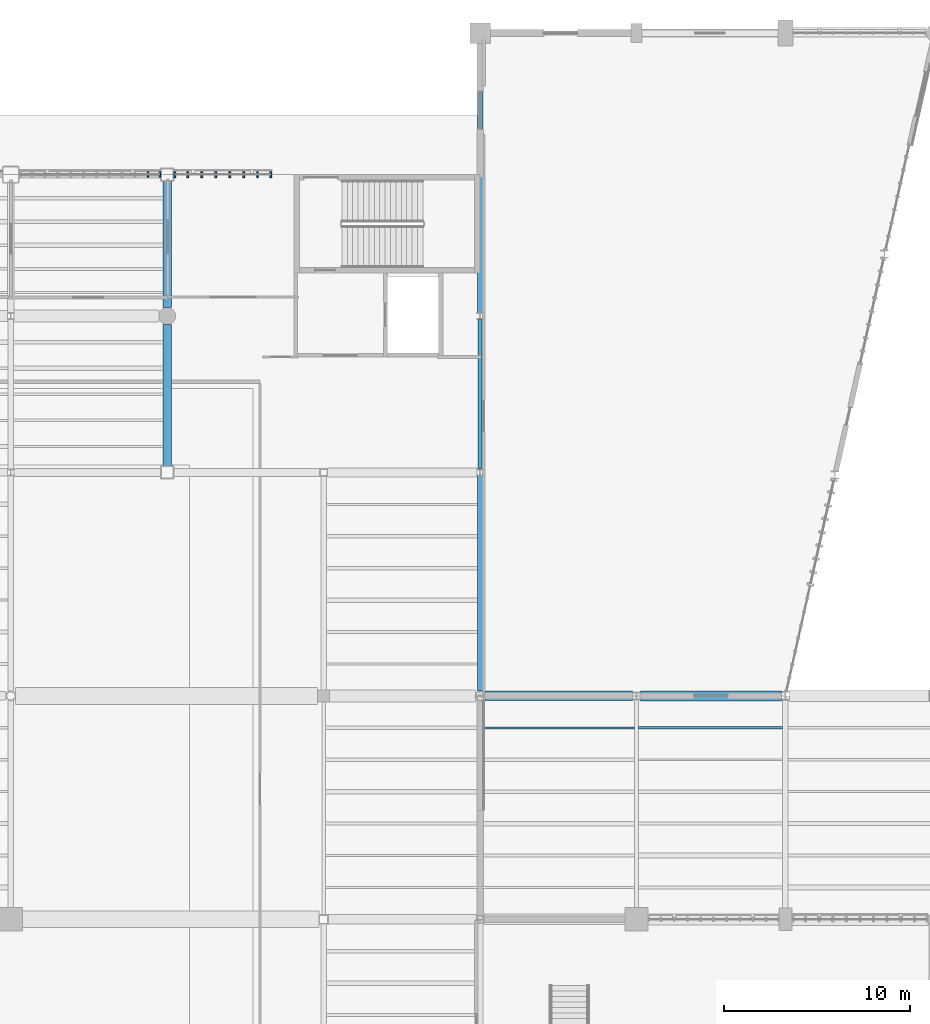
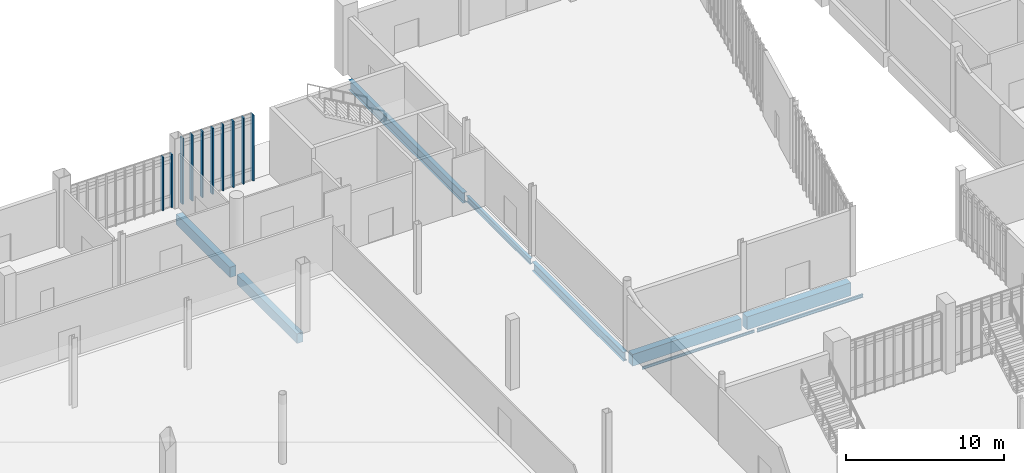
# One storey, part 27 of 111: 10 members, 9 beams, 2 elements without a shape of their own.
"""IFC4 building model written with IfcOpenShell, lengths in metres."""

from ifc_helpers import new_model, si_unit, direction, frame, origin, origin_2d, place, context, subcontext, project, spatial, rectangle, i_section, extrude, material, material_profile, profile_set, type_object, element, aggregate, save


model = new_model("IFC4")

# Units and contexts
model_context = context("Model", 3, precision=1e-05, world=origin(), true_north=direction((0.0, 1.0)))
body_context = subcontext(model_context, "Body", "Model", "MODEL_VIEW")
ifc_project = project(units=[si_unit("LENGTHUNIT", "METRE"), si_unit("AREAUNIT", "SQUARE_METRE"), si_unit("VOLUMEUNIT", "CUBIC_METRE"), si_unit("PLANEANGLEUNIT", "RADIAN"), si_unit("MASSUNIT", "GRAM", prefix="KILO")], contexts=[model_context])

# Site, building, storey
site_placement = place(None, origin())
site = spatial("IfcSite", under=ifc_project, at=site_placement, CompositionType="ELEMENT")
building_placement = place(site_placement, origin())
building = spatial("IfcBuilding", under=site, at=building_placement, Name="Larkvane Passage Sports Hall", CompositionType="ELEMENT")
storey_placement = place(building_placement, origin())
storey = spatial("IfcBuildingStorey", under=building, at=storey_placement, Name="L00", CompositionType="ELEMENT", Elevation=0.0)

# Beams
ifc_material_1 = material(Name="Concrete C40/50", Category="concrete")
ifc_material_profile_1 = material_profile(ifc_material_1, rectangle(XDim=0.449951171875, YDim=0.75, at=origin_2d()), Name="RC-BM-450x750")
ifc_profile_set_1 = profile_set([ifc_material_profile_1], Name="Concrete C40/50")
beam_type_1 = type_object("IfcBeamType", Name="BM-RC-450x750", PredefinedType="BEAM", material=ifc_profile_set_1)
beam_1_placement = place(storey_placement, frame((76.800048828125, 75.949951171875, -0.794921875), z_axis=(0.0, 1.0, 0.0), x_axis=(-1.0, 0.0, 0.0)))
element("IfcBeam", 1, at=beam_1_placement, inside=storey, type_object=beam_type_1, Name="Girder BM5-Y-L00-11-0109", PredefinedType="BEAM", context=body_context, shape_type="SweptSolid", body=[
    extrude(rectangle(XDim=0.449951171875, YDim=0.75, at=origin_2d()), origin(), (0.0, 0.0, 1.0), 7.60009765625),
])
ifc_material_profile_2 = material_profile(ifc_material_1, rectangle(XDim=0.449951171875, YDim=0.800048828125, at=origin_2d()), Name="RC-BM-450x800")
ifc_profile_set_2 = profile_set([ifc_material_profile_2], Name="Concrete C40/50")
beam_type_2 = type_object("IfcBeamType", Name="BM-RC-450x800", PredefinedType="BEAM", material=ifc_profile_set_2)
beam_2_placement = place(storey_placement, frame((76.800048828125, 84.449951171875, -0.820068359375), z_axis=(0.0, 1.0, 0.0), x_axis=(-1.0, 0.0, 0.0)))
element("IfcBeam", 2, at=beam_2_placement, inside=storey, type_object=beam_type_2, Name="Girder BM5-Y-L00-11-0110", PredefinedType="BEAM", context=body_context, shape_type="SweptSolid", body=[
    extrude(rectangle(XDim=0.449951171875, YDim=0.800048828125, at=origin_2d()), origin(), (0.0, 0.0, 1.0), 6.800048828125),
])
ifc_material_profile_3 = material_profile(ifc_material_1, rectangle(XDim=0.5, YDim=0.89990234375, at=origin_2d()), Name="RC-BM-500x900")
ifc_profile_set_3 = profile_set([ifc_material_profile_3], Name="Concrete C40/50")
beam_type_3 = type_object("IfcBeamType", Name="BM-RC-500x900", PredefinedType="BEAM", material=ifc_profile_set_3)
beam_3_placement = place(storey_placement, frame((93.85400390625, 63.60009765625, -0.8701171875), z_axis=(1.0, 0.0, 0.0), x_axis=(0.0, 1.0, 0.0)))
element("IfcBeam", 3, at=beam_3_placement, inside=storey, type_object=beam_type_3, Name="Girder BM5-X-L00-H-0047", PredefinedType="BEAM", context=body_context, shape_type="SweptSolid", body=[
    extrude(rectangle(XDim=0.5, YDim=0.89990234375, at=origin_2d()), origin(), (0.0, 0.0, 1.0), 7.943603515625),
])
ifc_material_2 = material(Name="Concrete C50/60", Category="concrete")
ifc_material_profile_4 = material_profile(ifc_material_2, rectangle(XDim=0.550048828125, YDim=1.0, at=origin_2d()), Name="RC-BM-550x1000")
ifc_profile_set_4 = profile_set([ifc_material_profile_4], Name="Concrete C50/60")
beam_type_4 = type_object("IfcBeamType", Name="BM-RC-550x1000", PredefinedType="BEAM", material=ifc_profile_set_4)
beam_4_placement = place(storey_placement, frame((102.202392578125, 63.60009765625, -0.919921875), z_axis=(1.0, 0.0, 0.0), x_axis=(0.0, 1.0, 0.0)))
element("IfcBeam", 4, at=beam_4_placement, inside=storey, type_object=beam_type_4, Name="Girder BM5-X-L00-H-0048", PredefinedType="BEAM", context=body_context, shape_type="SweptSolid", body=[
    extrude(rectangle(XDim=0.550048828125, YDim=1.0, at=origin_2d()), origin(), (0.0, 0.0, 1.0), 7.589111328125),
])
ifc_material_3 = material(Name="Steel S460N", Category="steel")
ifc_material_profile_5 = material_profile(ifc_material_3, i_section(OverallWidth=0.300048828125, OverallDepth=0.69189453125, WebThickness=0.012939453125, FlangeThickness=0.02001953125, FilletRadius=0.02197265625, at=origin_2d()), Name="H-692x300x13x20")
ifc_profile_set_5 = profile_set([ifc_material_profile_5], Name="Steel S460N")
beam_type_5 = type_object("IfcBeamType", Name="BM-STL-H692", PredefinedType="BEAM", material=ifc_profile_set_5)
beam_5_placement = place(storey_placement, frame((93.60009765625, 63.85400390625, -0.76611328125), z_axis=(0.0, 1.0, 0.0), x_axis=(-1.0, 0.0, 0.0)))
element("IfcBeam", 5, at=beam_5_placement, inside=storey, type_object=beam_type_5, Name="Girder BM5-Y-L00-13-0118", PredefinedType="BEAM", context=body_context, shape_type="SweptSolid", body=[
    extrude(i_section(OverallWidth=0.300048828125, OverallDepth=0.69189453125, WebThickness=0.012939453125, FlangeThickness=0.02001953125, FilletRadius=0.02197265625, at=origin_2d()), origin(), (0.0, 0.0, 1.0), 11.571044921875),
])
ifc_material_profile_6 = material_profile(ifc_material_3, i_section(OverallWidth=0.300048828125, OverallDepth=0.7919921875, WebThickness=0.013916015625, FlangeThickness=0.02197265625, FilletRadius=0.02197265625, at=origin_2d()), Name="H-792x300x14x22")
ifc_profile_set_6 = profile_set([ifc_material_profile_6], Name="Steel S460N")
beam_type_6 = type_object("IfcBeamType", Name="BM-STL-H792", PredefinedType="BEAM", material=ifc_profile_set_6)
beam_6_placement = place(storey_placement, frame((93.60009765625, 84.175048828125, -0.81591796875), z_axis=(0.0, 1.0, 0.0), x_axis=(-1.0, 0.0, 0.0)))
element("IfcBeam", 6, at=beam_6_placement, inside=storey, type_object=beam_type_6, Name="Girder BM5-Y-L00-13-0120", PredefinedType="BEAM", context=body_context, shape_type="SweptSolid", body=[
    extrude(i_section(OverallWidth=0.300048828125, OverallDepth=0.7919921875, WebThickness=0.013916015625, FlangeThickness=0.02197265625, FilletRadius=0.02197265625, at=origin_2d()), origin(), (0.0, 0.0, 1.0), 14.474853515625),
])

# Curtain wall, members
ifc_material_4 = material(Name="Thermally broken aluminium and low-E glazing", Category="aluminium")
curtain_wall_type_1 = type_object("IfcCurtainWallType", Name="CW-CLINIC", PredefinedType="USERDEFINED", material=ifc_material_4)
curtain_wall_1_placement = place(storey_placement, origin())
curtain_wall_1 = element("IfcCurtainWall", 7, at=curtain_wall_1_placement, inside=storey, type_object=curtain_wall_type_1, Name="Curtain wall CW5-L00-011", ObjectType="UNITISED CURTAIN WALL", PredefinedType="USERDEFINED")
ifc_material_5 = material(Name="Anodised aluminium 6063-T6", Category="aluminium")
ifc_material_profile_7 = material_profile(ifc_material_5, rectangle(XDim=0.10009765625, YDim=0.320068359375, at=origin_2d()), Name="ALU-MUL-100x320")
ifc_profile_set_7 = profile_set([ifc_material_profile_7], Name="Anodised aluminium 6063-T6")
member_type_1 = type_object("IfcMemberType", Name="CW-MUL-100x320", PredefinedType="MULLION", material=ifc_profile_set_7)
member_1_placement = place(storey_placement, frame((77.196044921875, 91.60009765625, 0.0), z_axis=(0.0, 0.0, 1.0), x_axis=(1.0, 0.0, 0.0)))
member_1 = element("IfcMember", 8, at=member_1_placement, type_object=member_type_1, Name="CW-05 mullion 1", PredefinedType="MULLION", context=body_context, shape_type="SweptSolid", body=[
    extrude(rectangle(XDim=0.10009765625, YDim=0.320068359375, at=origin_2d()), origin(), (0.0, 0.0, 1.0), 5.10009765625),
])
member_2_placement = place(storey_placement, frame((77.896484375, 91.60009765625, 0.0), z_axis=(0.0, 0.0, 1.0), x_axis=(1.0, 0.0, 0.0)))
member_2 = element("IfcMember", 9, at=member_2_placement, type_object=member_type_1, Name="CW-05 mullion 2", PredefinedType="MULLION", context=body_context, shape_type="SweptSolid", body=[
    extrude(rectangle(XDim=0.10009765625, YDim=0.320068359375, at=origin_2d()), origin(), (0.0, 0.0, 1.0), 5.10009765625),
])
member_3_placement = place(storey_placement, frame((78.647216796875, 91.60009765625, 0.0), z_axis=(0.0, 0.0, 1.0), x_axis=(1.0, 0.0, 0.0)))
member_3 = element("IfcMember", 10, at=member_3_placement, type_object=member_type_1, Name="CW-05 mullion 3", PredefinedType="MULLION", context=body_context, shape_type="SweptSolid", body=[
    extrude(rectangle(XDim=0.10009765625, YDim=0.320068359375, at=origin_2d()), origin(), (0.0, 0.0, 1.0), 5.10009765625),
])
member_4_placement = place(storey_placement, frame((79.397705078125, 91.60009765625, 0.0), z_axis=(0.0, 0.0, 1.0), x_axis=(1.0, 0.0, 0.0)))
member_4 = element("IfcMember", 11, at=member_4_placement, type_object=member_type_1, Name="CW-05 mullion 4", PredefinedType="MULLION", context=body_context, shape_type="SweptSolid", body=[
    extrude(rectangle(XDim=0.10009765625, YDim=0.320068359375, at=origin_2d()), origin(), (0.0, 0.0, 1.0), 5.10009765625),
])
member_5_placement = place(storey_placement, frame((80.148193359375, 91.60009765625, 0.0), z_axis=(0.0, 0.0, 1.0), x_axis=(1.0, 0.0, 0.0)))
member_5 = element("IfcMember", 12, at=member_5_placement, type_object=member_type_1, Name="CW-05 mullion 5", PredefinedType="MULLION", context=body_context, shape_type="SweptSolid", body=[
    extrude(rectangle(XDim=0.10009765625, YDim=0.320068359375, at=origin_2d()), origin(), (0.0, 0.0, 1.0), 5.10009765625),
])
member_6_placement = place(storey_placement, frame((80.89892578125, 91.60009765625, 0.0), z_axis=(0.0, 0.0, 1.0), x_axis=(1.0, 0.0, 0.0)))
member_6 = element("IfcMember", 13, at=member_6_placement, type_object=member_type_1, Name="CW-05 mullion 6", PredefinedType="MULLION", context=body_context, shape_type="SweptSolid", body=[
    extrude(rectangle(XDim=0.10009765625, YDim=0.320068359375, at=origin_2d()), origin(), (0.0, 0.0, 1.0), 5.10009765625),
])
member_7_placement = place(storey_placement, frame((81.6494140625, 91.60009765625, 0.0), z_axis=(0.0, 0.0, 1.0), x_axis=(1.0, 0.0, 0.0)))
member_7 = element("IfcMember", 14, at=member_7_placement, type_object=member_type_1, Name="CW-05 mullion 7", PredefinedType="MULLION", context=body_context, shape_type="SweptSolid", body=[
    extrude(rectangle(XDim=0.10009765625, YDim=0.320068359375, at=origin_2d()), origin(), (0.0, 0.0, 1.0), 5.10009765625),
])
member_8_placement = place(storey_placement, frame((82.35009765625, 91.60009765625, 0.0), z_axis=(0.0, 0.0, 1.0), x_axis=(1.0, 0.0, 0.0)))
member_8 = element("IfcMember", 15, at=member_8_placement, type_object=member_type_1, Name="CW-05 mullion 8", PredefinedType="MULLION", context=body_context, shape_type="SweptSolid", body=[
    extrude(rectangle(XDim=0.10009765625, YDim=0.320068359375, at=origin_2d()), origin(), (0.0, 0.0, 1.0), 5.10009765625),
])
aggregate(curtain_wall_1, [member_1, member_2, member_3, member_4, member_5, member_6, member_7, member_8])

curtain_wall_type_2 = type_object("IfcCurtainWallType", Name="CW-STICK-FOYER", PredefinedType="USERDEFINED", material=ifc_material_4)
curtain_wall_2_placement = place(storey_placement, origin())
curtain_wall_2 = element("IfcCurtainWall", 16, at=curtain_wall_2_placement, inside=storey, type_object=curtain_wall_type_2, Name="Curtain wall CW5-L00-010", ObjectType="STICK CURTAIN WALL", PredefinedType="USERDEFINED")
ifc_material_profile_8 = material_profile(ifc_material_5, rectangle(XDim=0.090087890625, YDim=0.280029296875, at=origin_2d()), Name="ALU-MUL-90x280")
ifc_profile_set_8 = profile_set([ifc_material_profile_8], Name="Anodised aluminium 6063-T6")
member_type_2 = type_object("IfcMemberType", Name="CW-MUL-90x280", PredefinedType="MULLION", material=ifc_profile_set_8)
member_9_placement = place(storey_placement, frame((75.762451171875, 91.60009765625, 0.0), z_axis=(0.0, 0.0, 1.0), x_axis=(1.0, 0.0, 0.0)))
member_9 = element("IfcMember", 17, at=member_9_placement, type_object=member_type_2, Name="CW-03 mullion 11", PredefinedType="MULLION", context=body_context, shape_type="SweptSolid", body=[
    extrude(rectangle(XDim=0.090087890625, YDim=0.280029296875, at=origin_2d()), origin(), (0.0, 0.0, 1.0), 4.117919921875),
])
member_10_placement = place(storey_placement, frame((76.408935546875, 91.60009765625, 0.0), z_axis=(0.0, 0.0, 1.0), x_axis=(1.0, 0.0, 0.0)))
member_10 = element("IfcMember", 18, at=member_10_placement, type_object=member_type_2, Name="CW-03 mullion 12", PredefinedType="MULLION", context=body_context, shape_type="SweptSolid", body=[
    extrude(rectangle(XDim=0.090087890625, YDim=0.280029296875, at=origin_2d()), origin(), (0.0, 0.0, 1.0), 4.117919921875),
])
aggregate(curtain_wall_2, [member_9, member_10])

# Beams
ifc_material_6 = material(Name="Steel S355JR", Category="steel")
ifc_material_profile_9 = material_profile(ifc_material_6, i_section(OverallWidth=0.10009765625, OverallDepth=0.199951171875, WebThickness=0.005615234375, FlangeThickness=0.008056640625, FilletRadius=0.008056640625, at=origin_2d()), Name="H-200x100x5.5x8")
ifc_profile_set_9 = profile_set([ifc_material_profile_9], Name="Steel S355JR")
beam_type_7 = type_object("IfcBeamType", Name="JST-STL-H200", PredefinedType="JOIST", material=ifc_profile_set_9)
beam_7_placement = place(storey_placement, frame((93.699951171875, 61.8857421875, -0.52001953125), z_axis=(1.0, 0.0, 0.0), x_axis=(0.0, 1.0, 0.0)))
element("IfcBeam", 19, at=beam_7_placement, inside=storey, type_object=beam_type_7, Name="Composite joist L00 13/G-6", PredefinedType="JOIST", context=body_context, shape_type="SweptSolid", body=[
    extrude(i_section(OverallWidth=0.10009765625, OverallDepth=0.199951171875, WebThickness=0.005615234375, FlangeThickness=0.008056640625, FilletRadius=0.008056640625, at=origin_2d()), origin(), (0.0, 0.0, 1.0), 8.199951171875),
])
ifc_material_profile_10 = material_profile(ifc_material_6, i_section(OverallWidth=0.125, OverallDepth=0.25, WebThickness=0.006103515625, FlangeThickness=0.009033203125, FilletRadius=0.008056640625, at=origin_2d()), Name="H-250x125x6x9")
ifc_profile_set_10 = profile_set([ifc_material_profile_10], Name="Steel S355JR")
beam_type_8 = type_object("IfcBeamType", Name="JST-STL-H250", PredefinedType="JOIST", material=ifc_profile_set_10)
beam_8_placement = place(storey_placement, frame((102.10009765625, 61.8857421875, -0.544921875), z_axis=(1.0, 0.0, 0.0), x_axis=(0.0, 1.0, 0.0)))
element("IfcBeam", 20, at=beam_8_placement, inside=storey, type_object=beam_type_8, Name="Composite joist L00 14/G-6", PredefinedType="JOIST", context=body_context, shape_type="SweptSolid", body=[
    extrude(i_section(OverallWidth=0.125, OverallDepth=0.25, WebThickness=0.006103515625, FlangeThickness=0.009033203125, FilletRadius=0.008056640625, at=origin_2d()), origin(), (0.0, 0.0, 1.0), 7.75),
])
ifc_material_profile_11 = material_profile(ifc_material_6, i_section(OverallWidth=0.199951171875, OverallDepth=0.449951171875, WebThickness=0.009033203125, FlangeThickness=0.013916015625, FilletRadius=0.01806640625, at=origin_2d()), Name="H-450x200x9x14")
ifc_profile_set_11 = profile_set([ifc_material_profile_11], Name="Steel S355JR")
beam_type_9 = type_object("IfcBeamType", Name="SP-STL-H450", PredefinedType="SPANDREL", material=ifc_profile_set_11)
beam_9_placement = place(storey_placement, frame((93.60009765625, 75.77490234375, -0.64501953125), z_axis=(0.0, 1.0, 0.0), x_axis=(-1.0, 0.0, 0.0)))
element("IfcBeam", 21, at=beam_9_placement, inside=storey, type_object=beam_type_9, Name="Girder BM5-Y-L00-13-0119", PredefinedType="SPANDREL", context=body_context, shape_type="SweptSolid", body=[
    extrude(i_section(OverallWidth=0.199951171875, OverallDepth=0.449951171875, WebThickness=0.009033203125, FlangeThickness=0.013916015625, FilletRadius=0.01806640625, at=origin_2d()), origin(), (0.0, 0.0, 1.0), 8.050048828125),
])

save(model, "model.ifc")
